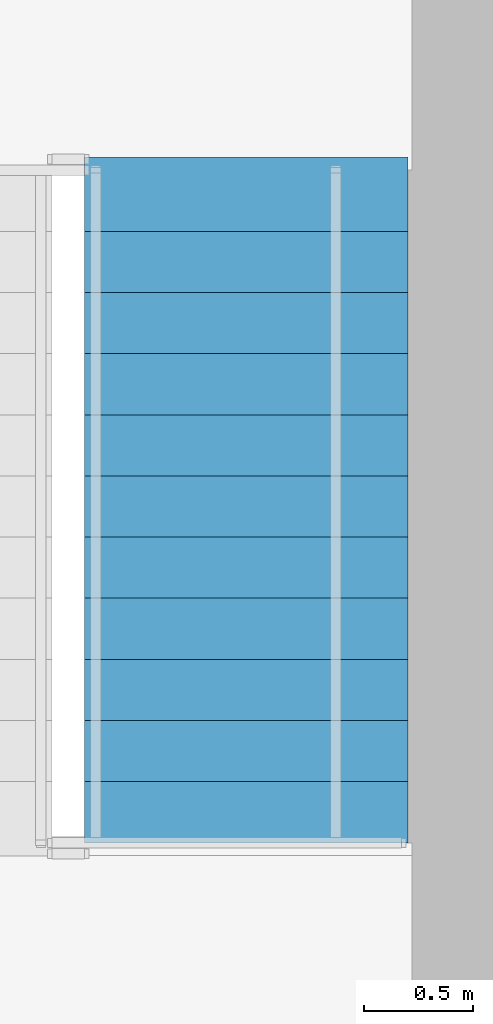
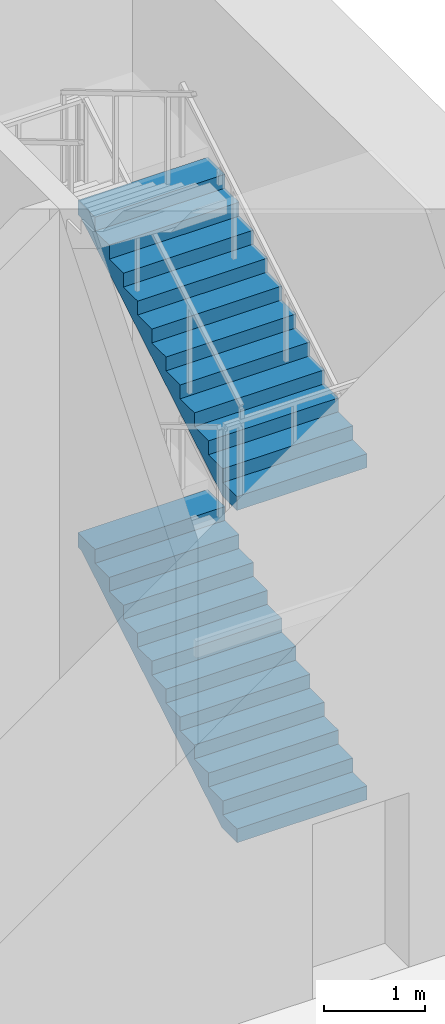
# One storey, part 12 of 16: 2 stair flights, 1 element without a shape of its own.
"""IFC4 building model written with IfcOpenShell, lengths in metres."""

from ifc_helpers import new_model, si_unit, direction, frame, origin, place, context, subcontext, project, spatial, polyline, outline, extrude, material, type_object, element, aggregate, save


model = new_model("IFC4")

# Units and contexts
model_context = context("Model", 3, precision=1e-05, world=origin(), true_north=direction((0.0, 1.0)))
body_context = subcontext(model_context, "Body", "Model", "MODEL_VIEW")
ifc_project = project(units=[si_unit("LENGTHUNIT", "METRE"), si_unit("AREAUNIT", "SQUARE_METRE"), si_unit("VOLUMEUNIT", "CUBIC_METRE"), si_unit("PLANEANGLEUNIT", "RADIAN"), si_unit("MASSUNIT", "GRAM", prefix="KILO")], contexts=[model_context])

# Site, building, storey
site_placement = place(None, origin())
site = spatial("IfcSite", under=ifc_project, at=site_placement, CompositionType="ELEMENT")
building_placement = place(site_placement, origin())
building = spatial("IfcBuilding", under=site, at=building_placement, Name="Sennacour Bend Tower", CompositionType="ELEMENT")
storey_placement = place(building_placement, frame((0.0, 0.0, 187.0)))
storey = spatial("IfcBuildingStorey", under=building, at=storey_placement, Name="L43", CompositionType="ELEMENT", Elevation=187.0)

# Stair, stair flights
ifc_material = material(Name="Concrete C40/50", Category="concrete")
stair_type = type_object("IfcStairType", Name="ST-DOGLEG", PredefinedType="HALF_TURN_STAIR", material=ifc_material)
stair_placement = place(storey_placement, origin())
stair = element("IfcStair", 1, at=stair_placement, inside=storey, type_object=stair_type, Name="L43 Exit stair B2", PredefinedType="HALF_TURN_STAIR")
stair_flight_type = type_object("IfcStairFlightType", Name="SFL-RC", PredefinedType="STRAIGHT", material=ifc_material)
stair_flight_1_placement = place(storey_placement, frame((20.7900390625, 38.699951171875, 0.0), z_axis=(0.0, 0.0, 1.0), x_axis=(0.0, 1.0, 0.0)))
stair_flight_1 = element("IfcStairFlight", 2, at=stair_flight_1_placement, type_object=stair_flight_type, Name="SB2 flight 1", NumberOfRisers=12, NumberOfTreads=11, PredefinedType="STRAIGHT", RiserHeight=0.166666667, TreadLength=0.28, context=body_context, shape_type="SweptSolid", body=[
    extrude(outline(polyline([(0.0, 0.0), (0.0, 0.166748046875), (0.280029296875, 0.166748046875), (0.280029296875, 0.333251953125), (0.56005859375, 0.333251953125), (0.56005859375, 0.5), (0.840087890625, 0.5), (0.840087890625, 0.666748046875), (1.1201171875, 0.666748046875), (1.1201171875, 0.833251953125), (1.39990234375, 0.833251953125), (1.39990234375, 1.0), (1.679931640625, 1.0), (1.679931640625, 1.166748046875), (1.9599609375, 1.166748046875), (1.9599609375, 1.333251953125), (2.239990234375, 1.333251953125), (2.239990234375, 1.5), (2.52001953125, 1.5), (2.52001953125, 1.666748046875), (2.800048828125, 1.666748046875), (2.800048828125, 1.833251953125), (3.080078125, 1.833251953125), (3.139892578125, 1.833251953125), (3.139892578125, 1.658935546875), (3.080078125, 1.658935546875), (0.29296875, 0.0), (0.0, 0.0)])), frame((0.0, 0.739990234375, 0.0), z_axis=(0.0, -1.0, 0.0), x_axis=(1.0, 0.0, 0.0)), (0.0, 0.0, 1.0), 1.47998046875),
])
stair_flight_2_placement = place(storey_placement, frame((20.7900390625, 38.699951171875, 4.0), z_axis=(0.0, 0.0, 1.0), x_axis=(0.0, 1.0, 0.0)))
stair_flight_2 = element("IfcStairFlight", 3, at=stair_flight_2_placement, type_object=stair_flight_type, Name="SB2 flight 3", NumberOfRisers=12, NumberOfTreads=11, PredefinedType="STRAIGHT", RiserHeight=0.166666667, TreadLength=0.28, context=body_context, shape_type="SweptSolid", body=[
    extrude(outline(polyline([(0.0, 0.0), (0.0, 0.166748046875), (0.280029296875, 0.166748046875), (0.280029296875, 0.333251953125), (0.56005859375, 0.333251953125), (0.56005859375, 0.5), (0.840087890625, 0.5), (0.840087890625, 0.666748046875), (1.1201171875, 0.666748046875), (1.1201171875, 0.833251953125), (1.39990234375, 0.833251953125), (1.39990234375, 1.0), (1.679931640625, 1.0), (1.679931640625, 1.166748046875), (1.9599609375, 1.166748046875), (1.9599609375, 1.333251953125), (2.239990234375, 1.333251953125), (2.239990234375, 1.5), (2.52001953125, 1.5), (2.52001953125, 1.666748046875), (2.800048828125, 1.666748046875), (2.800048828125, 1.833251953125), (3.080078125, 1.833251953125), (3.139892578125, 1.833251953125), (3.139892578125, 1.658935546875), (3.080078125, 1.658935546875), (0.29296875, 0.0), (0.0, 0.0)])), frame((0.0, 0.739990234375, 0.0), z_axis=(0.0, -1.0, 0.0), x_axis=(1.0, 0.0, 0.0)), (0.0, 0.0, 1.0), 1.47998046875),
])
aggregate(stair, [stair_flight_1, stair_flight_2])

save(model, "model.ifc")
